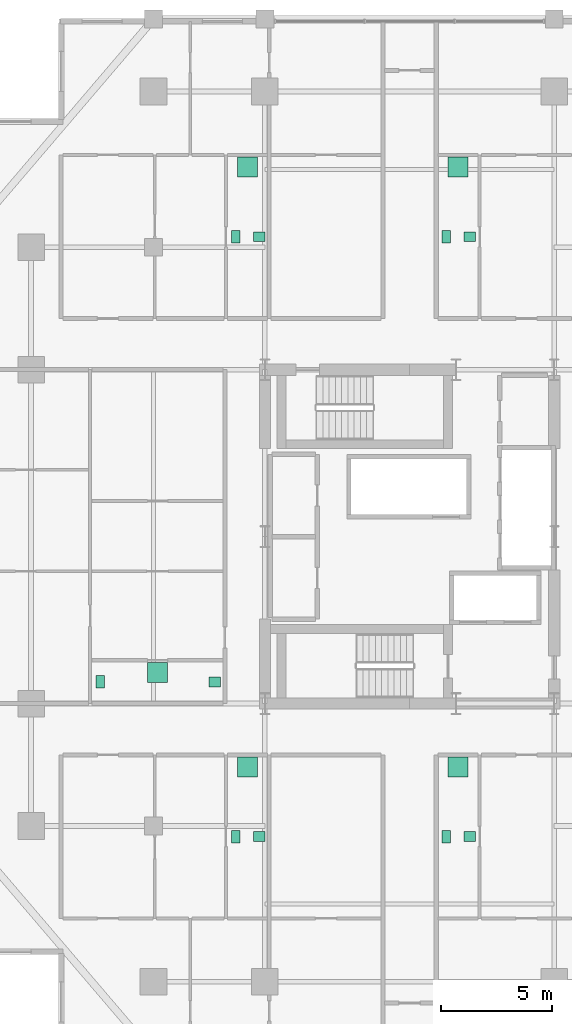
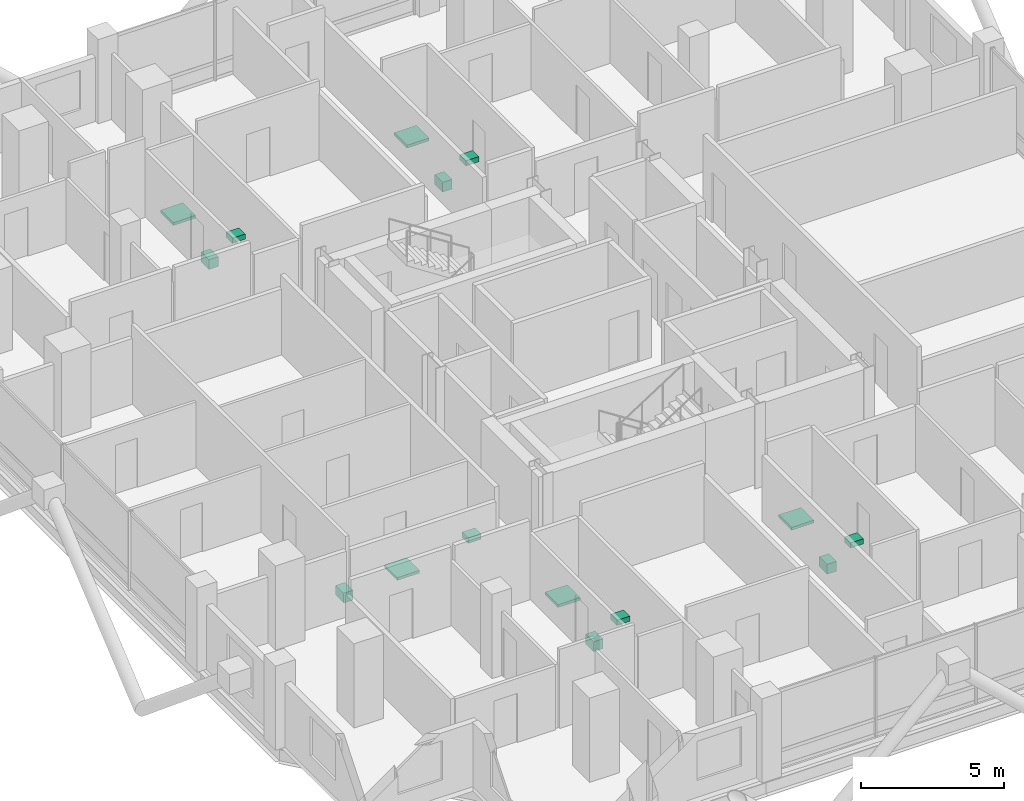
# One storey, part 23 of 23: 15 sanitary terminals.
"""IFC4 building model written with IfcOpenShell, lengths in metres."""

from ifc_helpers import new_model, si_unit, direction, frame, origin, origin_2d, place, context, subcontext, project, spatial, rectangle, extrude, material, type_object, element, save


model = new_model("IFC4")

# Units and contexts
model_context = context("Model", 3, precision=1e-05, world=origin(), true_north=direction((0.0, 1.0)))
body_context = subcontext(model_context, "Body", "Model", "MODEL_VIEW")
ifc_project = project(units=[si_unit("LENGTHUNIT", "METRE"), si_unit("AREAUNIT", "SQUARE_METRE"), si_unit("VOLUMEUNIT", "CUBIC_METRE"), si_unit("PLANEANGLEUNIT", "RADIAN"), si_unit("MASSUNIT", "GRAM", prefix="KILO")], contexts=[model_context])

# Site, building, storey
site_placement = place(None, origin())
site = spatial("IfcSite", under=ifc_project, at=site_placement, CompositionType="ELEMENT")
building_placement = place(site_placement, origin())
building = spatial("IfcBuilding", under=site, at=building_placement, Name="Barlavira Tower and Art Museum", CompositionType="ELEMENT")
storey_placement = place(building_placement, frame((0.0, 0.0, 140.39990234375)))
storey = spatial("IfcBuildingStorey", under=building, at=storey_placement, Name="L35", CompositionType="ELEMENT", Elevation=140.39990234375)

# Sanitary terminals
ifc_material = material(Name="Vitreous glazed ceramic", Category="ceramic")
sanitary_terminal_type_1 = type_object("IfcSanitaryTerminalType", Name="Countertop Ceramic Wash Hand Basin", PredefinedType="WASHHANDBASIN", material=ifc_material)
for number, where, z_axis, x_axis, name in (
    (1, (-6.75, -13.47509765625, 0.740234375), (0.0, 0.0, 1.0), (1.0, 0.0, 0.0), "L35-SW1-BTH1 Wash Basin"),
    (2, (2.699951171875, -13.47509765625, 0.740234375), (0.0, 0.0, 1.0), (1.0, 0.0, 0.0), "L35-SE1-BTH1 Wash Basin"),
    (3, (-6.75, 13.47509765625, 0.740234375), (0.0, 0.0, 1.0), (1.0, 0.0, 0.0), "L35-NW1-BTH1 Wash Basin"),
    (4, (2.699951171875, 13.47509765625, 0.740234375), (0.0, 0.0, 1.0), (1.0, 0.0, 0.0), "L35-NE1-BTH1 Wash Basin"),
    (5, (-8.75, -6.52490234375, 0.740234375), (0.0, 0.0, 1.0), (1.0, 0.0, 0.0), "L35-W1-BTH1 Wash Basin"),
):
    element("IfcSanitaryTerminal", number, at=place(storey_placement, frame(where, z_axis=z_axis, x_axis=x_axis)), inside=storey, type_object=sanitary_terminal_type_1, Name=name, PredefinedType="WASHHANDBASIN", context=body_context, shape_type="SweptSolid", body=[
        extrude(rectangle(XDim=0.52001953125, YDim=0.43994140625, at=origin_2d()), origin(), (0.0, 0.0, 1.0), 0.219970703125),
    ])
sanitary_terminal_type_2 = type_object("IfcSanitaryTerminalType", Name="Walk-In Thermostatic Rain Shower Unit", PredefinedType="SHOWER", material=ifc_material)
for number, where, z_axis, x_axis, name in (
    (6, (-7.27490234375, -10.35009765625, 0.0), (0.0, 0.0, 1.0), (1.0, 0.0, 0.0), "L35-SW1-BTH1 Rain Shower"),
    (7, (2.175048828125, -10.35009765625, 0.0), (0.0, 0.0, 1.0), (1.0, 0.0, 0.0), "L35-SE1-BTH1 Rain Shower"),
    (8, (-7.27490234375, 16.60009765625, 0.0), (0.0, 0.0, 1.0), (1.0, 0.0, 0.0), "L35-NW1-BTH1 Rain Shower"),
    (9, (2.175048828125, 16.60009765625, 0.0), (0.0, 0.0, 1.0), (1.0, 0.0, 0.0), "L35-NE1-BTH1 Rain Shower"),
    (10, (-11.324951171875, -6.10009765625, 0.0), (0.0, 0.0, 1.0), (1.0, 0.0, 0.0), "L35-W1-BTH1 Rain Shower"),
):
    element("IfcSanitaryTerminal", number, at=place(storey_placement, frame(where, z_axis=z_axis, x_axis=x_axis)), inside=storey, type_object=sanitary_terminal_type_2, Name=name, PredefinedType="SHOWER", context=body_context, shape_type="SweptSolid", body=[
        extrude(rectangle(XDim=0.89990234375, YDim=0.89990234375, at=origin_2d()), origin(), (0.0, 0.0, 1.0), 0.1201171875),
    ])
sanitary_terminal_type_3 = type_object("IfcSanitaryTerminalType", Name="Wall-Hung Dual-Flush Vitreous WC Pan", PredefinedType="TOILETPAN", material=ifc_material)
for number, where, z_axis, x_axis, name in (
    (11, (-7.800048828125, -13.47509765625, 0.000244140625), (0.0, 0.0, 1.0), (1.0, 0.0, 0.0), "L35-SW1-BTH1 WC Pan"),
    (12, (1.64990234375, -13.47509765625, 0.000244140625), (0.0, 0.0, 1.0), (1.0, 0.0, 0.0), "L35-SE1-BTH1 WC Pan"),
    (13, (-7.800048828125, 13.47509765625, 0.000244140625), (0.0, 0.0, 1.0), (1.0, 0.0, 0.0), "L35-NW1-BTH1 WC Pan"),
    (14, (1.64990234375, 13.47509765625, 0.000244140625), (0.0, 0.0, 1.0), (1.0, 0.0, 0.0), "L35-NE1-BTH1 WC Pan"),
    (15, (-13.89990234375, -6.52490234375, 0.000244140625), (0.0, 0.0, 1.0), (1.0, 0.0, 0.0), "L35-W1-BTH1 WC Pan"),
):
    element("IfcSanitaryTerminal", number, at=place(storey_placement, frame(where, z_axis=z_axis, x_axis=x_axis)), inside=storey, type_object=sanitary_terminal_type_3, Name=name, PredefinedType="TOILETPAN", context=body_context, shape_type="SweptSolid", body=[
        extrude(rectangle(XDim=0.3798828125, YDim=0.56005859375, at=origin_2d()), origin(), (0.0, 0.0, 1.0), 0.419921875),
    ])

save(model, "model.ifc")
